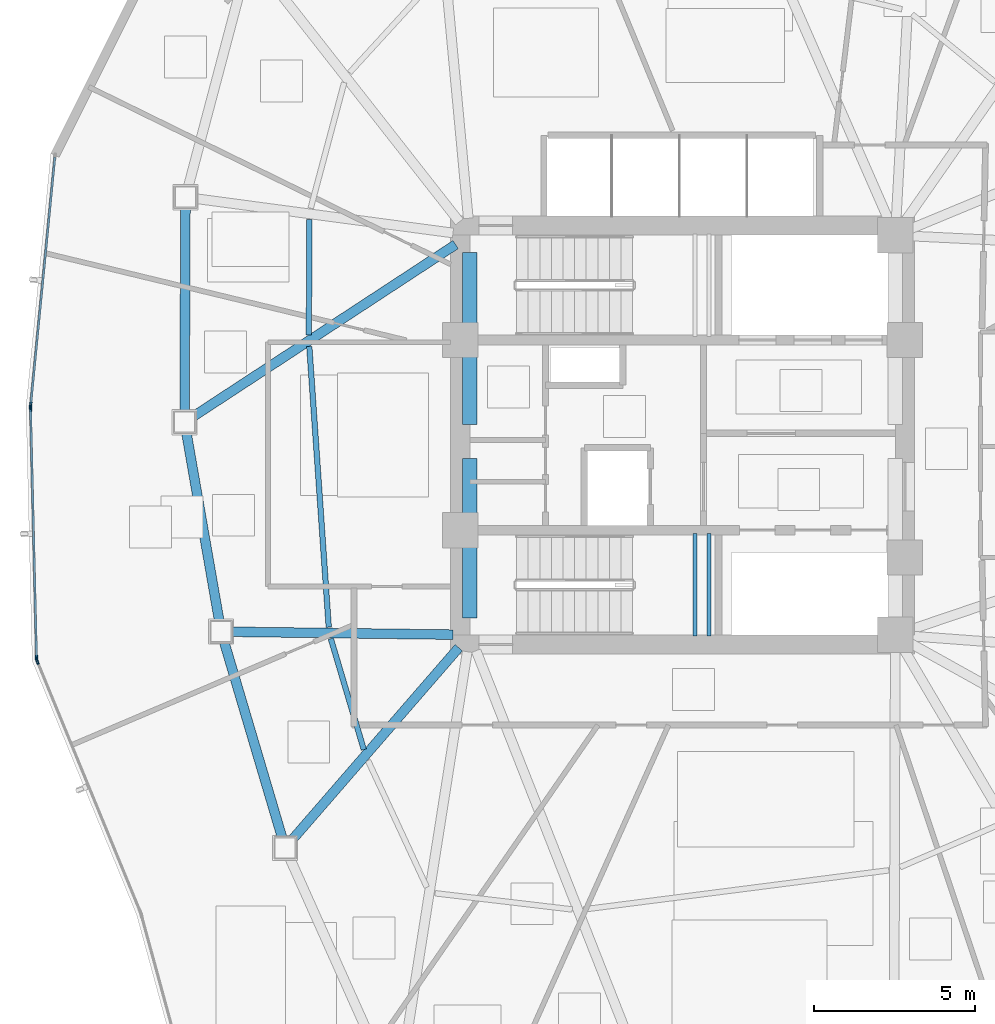
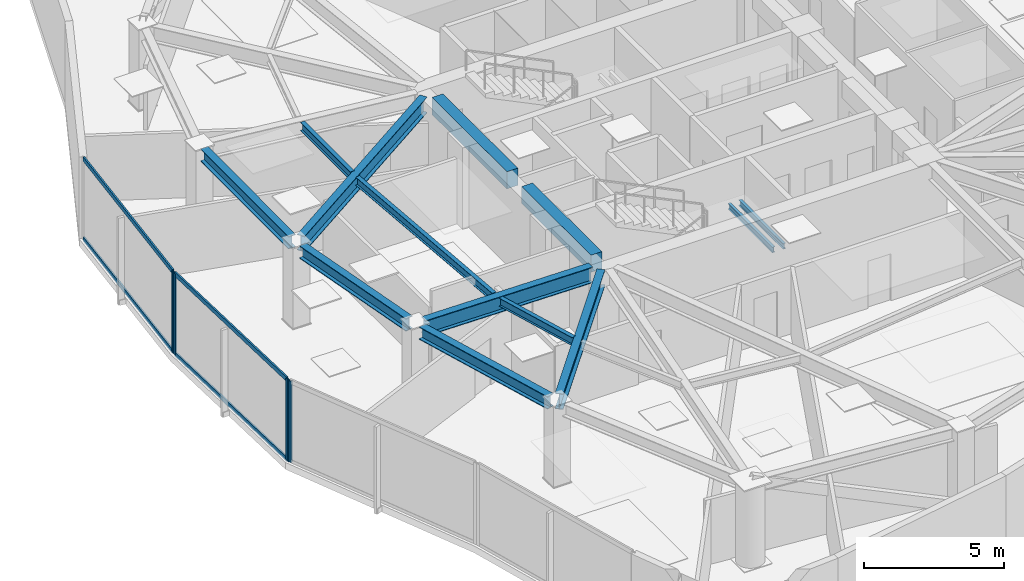
# One storey, part 4 of 17: 13 beams, 8 members, 3 elements without a shape of their own.
"""IFC4 building model written with IfcOpenShell, lengths in metres."""

from ifc_helpers import new_model, si_unit, direction, frame, origin, origin_2d, place, context, subcontext, project, spatial, rectangle, hollow_rectangle, i_section, extrude, source, transform, mapped, material, layer, layer_set, material_profile, profile_set, type_object, type_shapes, element, aggregate, save


model = new_model("IFC4")

# Units and contexts
model_context = context("Model", 3, precision=1e-05, world=origin(), true_north=direction((0.0, 1.0)))
body_context = subcontext(model_context, "Body", "Model", "MODEL_VIEW")
ifc_project = project(units=[si_unit("LENGTHUNIT", "METRE"), si_unit("AREAUNIT", "SQUARE_METRE"), si_unit("VOLUMEUNIT", "CUBIC_METRE"), si_unit("PLANEANGLEUNIT", "RADIAN"), si_unit("MASSUNIT", "GRAM", prefix="KILO")], contexts=[model_context])

# Site, building, storey
site_placement = place(None, origin())
site = spatial("IfcSite", under=ifc_project, at=site_placement, CompositionType="ELEMENT")
building_placement = place(site_placement, origin())
building = spatial("IfcBuilding", under=site, at=building_placement, Name="Tavelor Broadcast Tower", CompositionType="ELEMENT")
storey_placement = place(building_placement, frame((0.0, 0.0, 150.25)))
storey = spatial("IfcBuildingStorey", under=building, at=storey_placement, Name="L35", CompositionType="ELEMENT", Elevation=150.25)

# Beams
ifc_material_1 = material(Name="Concrete C40/50", Category="concrete")
ifc_material_profile_1 = material_profile(ifc_material_1, rectangle(XDim=0.449951171875, YDim=0.75, at=origin_2d()), Name="RC 450x750")
ifc_profile_set_1 = profile_set([ifc_material_profile_1], Name="Concrete C40/50")
beam_type_1 = type_object("IfcBeamType", Name="Basement Core Trim Beam 450x750", PredefinedType="BEAM", material=ifc_profile_set_1)
beam_1_placement = place(storey_placement, frame((43.39990234375, 45.327880859375, 3.175048828125), z_axis=(0.0, 1.0, 0.0), x_axis=(-1.0, 0.0, 0.0)))
element("IfcBeam", 1, at=beam_1_placement, inside=storey, type_object=beam_type_1, Name="L35 Core West-N Tie Girder", PredefinedType="BEAM", context=body_context, shape_type="SweptSolid", body=[
    extrude(rectangle(XDim=0.449951171875, YDim=0.75, at=origin_2d()), origin(), (0.0, 0.0, 1.0), 5.34423828125),
])
beam_2_placement = place(storey_placement, frame((43.39990234375, 39.327880859375, 3.175048828125), z_axis=(0.0, 1.0, 0.0), x_axis=(-1.0, 0.0, 0.0)))
element("IfcBeam", 2, at=beam_2_placement, inside=storey, type_object=beam_type_1, Name="L35 Core West-S Tie Girder", PredefinedType="BEAM", context=body_context, shape_type="SweptSolid", body=[
    extrude(rectangle(XDim=0.449951171875, YDim=0.75, at=origin_2d()), origin(), (0.0, 0.0, 1.0), 4.944091796875),
])
ifc_material_2 = material(Name="Steel S355", Category="steel")
ifc_material_profile_2 = material_profile(ifc_material_2, i_section(OverallWidth=0.169921875, OverallDepth=0.360107421875, WebThickness=0.008056640625, FlangeThickness=0.0126953125, at=origin_2d()), Name="IPE 360")
ifc_profile_set_2 = profile_set([ifc_material_profile_2], Name="Steel S355")
beam_type_2 = type_object("IfcBeamType", Name="Composite Floor Joist T3 IPE 360", PredefinedType="JOIST", material=ifc_profile_set_2)
beam_3_placement = place(storey_placement, frame((38.413818359375, 51.685302734375, 3.3701171875), z_axis=(-0.002320654457, -0.999997307278, 0.0), x_axis=(0.999997307278, -0.002320654457, 0.0)))
element("IfcBeam", 3, at=beam_3_placement, inside=storey, type_object=beam_type_2, Name="L35 Secondary Composite Floor Joist 03", PredefinedType="JOIST", context=body_context, shape_type="SweptSolid", body=[
    extrude(i_section(OverallWidth=0.169921875, OverallDepth=0.360107421875, WebThickness=0.008056640625, FlangeThickness=0.0126953125, at=origin_2d()), origin(), (0.0, 0.0, 1.0), 3.576904296875),
])
beam_4_placement = place(storey_placement, frame((38.41748046875, 47.74658203125, 3.3701171875), z_axis=(0.069100565304, -0.997609699168, 0.0), x_axis=(0.997609699168, 0.069100565304, 0.0)))
element("IfcBeam", 4, at=beam_4_placement, inside=storey, type_object=beam_type_2, Name="L35 Secondary Composite Floor Joist 04", PredefinedType="JOIST", context=body_context, shape_type="SweptSolid", body=[
    extrude(i_section(OverallWidth=0.169921875, OverallDepth=0.360107421875, WebThickness=0.008056640625, FlangeThickness=0.0126953125, at=origin_2d()), origin(), (0.0, 0.0, 1.0), 8.730224609375),
])
beam_5_placement = place(storey_placement, frame((39.084716796875, 38.68310546875, 3.3701171875), z_axis=(0.285203072184, -0.958467113477, 0.0), x_axis=(0.958467113477, 0.285203072184, 0.0)))
element("IfcBeam", 5, at=beam_5_placement, inside=storey, type_object=beam_type_2, Name="L35 Secondary Composite Floor Joist 05", PredefinedType="JOIST", context=body_context, shape_type="SweptSolid", body=[
    extrude(i_section(OverallWidth=0.169921875, OverallDepth=0.360107421875, WebThickness=0.008056640625, FlangeThickness=0.0126953125, at=origin_2d()), origin(), (0.0, 0.0, 1.0), 3.593505859375),
])
ifc_material_profile_3 = material_profile(ifc_material_2, i_section(OverallWidth=0.300048828125, OverallDepth=0.550048828125, WebThickness=0.014892578125, FlangeThickness=0.029052734375, at=origin_2d()), Name="HEB 550")
ifc_profile_set_3 = profile_set([ifc_material_profile_3], Name="Steel S355")
beam_type_3 = type_object("IfcBeamType", Name="Perimeter Spandrel Beam T3 HEB 550", PredefinedType="SPANDREL", material=ifc_profile_set_3)
beam_6_placement = place(storey_placement, frame((34.57373046875, 52.043212890625, 3.27490234375), z_axis=(-0.00410245019, -0.999991584916, 0.0), x_axis=(0.999991584916, -0.00410245019, 0.0)))
element("IfcBeam", 6, at=beam_6_placement, inside=storey, type_object=beam_type_3, Name="L35 Framed-Tube Ring Spandrel 03", PredefinedType="SPANDREL", context=body_context, shape_type="SweptSolid", body=[
    extrude(i_section(OverallWidth=0.300048828125, OverallDepth=0.550048828125, WebThickness=0.014892578125, FlangeThickness=0.029052734375, at=origin_2d()), origin(), (0.0, 0.0, 1.0), 6.30810546875),
])
beam_7_placement = place(storey_placement, frame((34.604248046875, 45.068115234375, 3.27490234375), z_axis=(0.17197754126, -0.985100870623, 0.0), x_axis=(0.985100870623, 0.17197754126, 0.0)))
element("IfcBeam", 7, at=beam_7_placement, inside=storey, type_object=beam_type_3, Name="L35 Framed-Tube Ring Spandrel 04", PredefinedType="SPANDREL", context=body_context, shape_type="SweptSolid", body=[
    extrude(i_section(OverallWidth=0.300048828125, OverallDepth=0.550048828125, WebThickness=0.014892578125, FlangeThickness=0.029052734375, at=origin_2d()), origin(), (0.0, 0.0, 1.0), 5.925537109375),
])
beam_8_placement = place(storey_placement, frame((35.7763671875, 38.57763671875, 3.27490234375), z_axis=(0.283996338182, -0.958825364652, 0.0), x_axis=(0.958825364652, 0.283996338182, 0.0)))
element("IfcBeam", 8, at=beam_8_placement, inside=storey, type_object=beam_type_3, Name="L35 Framed-Tube Ring Spandrel 05", PredefinedType="SPANDREL", context=body_context, shape_type="SweptSolid", body=[
    extrude(i_section(OverallWidth=0.300048828125, OverallDepth=0.550048828125, WebThickness=0.014892578125, FlangeThickness=0.029052734375, at=origin_2d()), origin(), (0.0, 0.0, 1.0), 6.325439453125),
])
ifc_material_profile_4 = material_profile(ifc_material_2, i_section(OverallWidth=0.300048828125, OverallDepth=0.68994140625, WebThickness=0.014404296875, FlangeThickness=0.027099609375, at=origin_2d()), Name="HEA 700")
ifc_profile_set_4 = profile_set([ifc_material_profile_4], Name="Steel S355")
beam_type_4 = type_object("IfcBeamType", Name="Radial Floor Girder T3 HEA 700", PredefinedType="BEAM", material=ifc_profile_set_4)
beam_9_placement = place(storey_placement, frame((42.95849609375, 50.91064453125, 3.205078125), z_axis=(-0.836455571638, -0.548034740391, 0.0), x_axis=(0.548034740391, -0.836455571638, 0.0)))
element("IfcBeam", 9, at=beam_9_placement, inside=storey, type_object=beam_type_4, Name="L35 Radial Primary Floor Girder 04", PredefinedType="BEAM", context=body_context, shape_type="SweptSolid", body=[
    extrude(i_section(OverallWidth=0.300048828125, OverallDepth=0.68994140625, WebThickness=0.014404296875, FlangeThickness=0.027099609375, at=origin_2d()), origin(), (0.0, 0.0, 1.0), 9.720947265625),
])
beam_10_placement = place(storey_placement, frame((42.8720703125, 38.806884765625, 3.205078125), z_axis=(-0.999916440376, 0.012927190963, 0.0), x_axis=(-0.012927190963, -0.999916440376, 0.0)))
element("IfcBeam", 10, at=beam_10_placement, inside=storey, type_object=beam_type_4, Name="L35 Radial Primary Floor Girder 05", PredefinedType="BEAM", context=body_context, shape_type="SweptSolid", body=[
    extrude(i_section(OverallWidth=0.300048828125, OverallDepth=0.68994140625, WebThickness=0.014404296875, FlangeThickness=0.027099609375, at=origin_2d()), origin(), (0.0, 0.0, 1.0), 6.85546875),
])
beam_11_placement = place(storey_placement, frame((43.05419921875, 38.401123046875, 3.205078125), z_axis=(-0.655166261537, -0.755484725024, 0.0), x_axis=(0.755484725024, -0.655166261537, 0.0)))
element("IfcBeam", 11, at=beam_11_placement, inside=storey, type_object=beam_type_4, Name="L35 Radial Primary Floor Girder 06", PredefinedType="BEAM", context=body_context, shape_type="SweptSolid", body=[
    extrude(i_section(OverallWidth=0.300048828125, OverallDepth=0.68994140625, WebThickness=0.014404296875, FlangeThickness=0.027099609375, at=origin_2d()), origin(), (0.0, 0.0, 1.0), 7.885009765625),
])
ifc_material_profile_5 = material_profile(ifc_material_2, i_section(OverallWidth=0.1201171875, OverallDepth=0.239990234375, WebThickness=0.006103515625, FlangeThickness=0.009765625, at=origin_2d()), Name="IPE 240")
ifc_profile_set_5 = profile_set([ifc_material_profile_5], Name="Steel S355")
beam_type_5 = type_object("IfcBeamType", Name="Stairwell Landing Support Trimmer Beam IPE240", PredefinedType="BEAM", material=ifc_profile_set_5)
for number, where, z_axis, x_axis, name in (
    (12, (50.385009765625, 38.760009765625, 1.610107421875), (0.0, 1.0, 0.0), (-1.0, 0.0, 0.0), "L35 Stair Landing Support Beam 317"),
    (13, (50.824951171875, 38.760009765625, 1.610107421875), (0.0, 1.0, 0.0), (-1.0, 0.0, 0.0), "L35 Stair Landing Support Beam 318"),
):
    element("IfcBeam", number, at=place(storey_placement, frame(where, z_axis=z_axis, x_axis=x_axis)), inside=storey, type_object=beam_type_5, Name=name, PredefinedType="BEAM", context=body_context, shape_type="SweptSolid", body=[
        extrude(i_section(OverallWidth=0.1201171875, OverallDepth=0.239990234375, WebThickness=0.006103515625, FlangeThickness=0.009765625, at=origin_2d()), origin(), (0.0, 0.0, 1.0), 3.179931640625),
    ])

# Curtain wall, member
ifc_material_3 = material(Name="Architectural Anodized Aluminium", Category="aluminium")
ifc_layer = layer(ifc_material_3, 0.18994140625)
ifc_layer_set = layer_set([ifc_layer], Name="Architectural Anodized Aluminium")
curtain_wall_type = type_object("IfcCurtainWallType", Name="Tower Mid-Zone Acoustic Curtain Wall CW03", PredefinedType="NOTDEFINED", material=ifc_layer_set)
curtain_wall_1_placement = place(storey_placement, origin())
curtain_wall_1 = element("IfcCurtainWall", 14, at=curtain_wall_1_placement, inside=storey, type_object=curtain_wall_type, Name="L35 Curtain Wall CW03 Run 361", PredefinedType="NOTDEFINED")
ifc_material_profile_6 = material_profile(ifc_material_3, hollow_rectangle(XDim=0.068115234375, YDim=0.18994140625, WallThickness=0.02197265625, at=origin_2d()), Name="RHS 68x190x22")
ifc_profile_set_6 = profile_set([ifc_material_profile_6], Name="Architectural Anodized Aluminium")
member_type_1 = type_object("IfcMemberType", Name="CW03 Extruded Aluminium Mullion 68x190", PredefinedType="MULLION", material=ifc_profile_set_6)
shared_shape_1 = source(origin(), body_context, "Body", "SweptSolid", [
    extrude(hollow_rectangle(XDim=0.068115234375, YDim=0.18994140625, WallThickness=0.02197265625, at=origin_2d()), origin(), (0.0, 0.0, 1.0), 3.550048828125),
])
type_shapes(member_type_1, [shared_shape_1])
member_1_placement = place(storey_placement, frame((29.771728515625, 45.9228515625, 0.0), z_axis=(0.0, 0.0, 1.0), x_axis=(0.995269187717, -0.097155771729, 0.0)))
member_1 = element("IfcMember", 15, at=member_1_placement, type_object=member_type_1, Name="CW03 mullion 2", PredefinedType="MULLION", context=body_context, shape_type="MappedRepresentation", body=[
    mapped(shared_shape_1, transform((0.0, 0.0, 0.0), scale=1.0)),
])

# Curtain wall, members
curtain_wall_2_placement = place(storey_placement, origin())
curtain_wall_2 = element("IfcCurtainWall", 16, at=curtain_wall_2_placement, inside=storey, type_object=curtain_wall_type, Name="L35 Curtain Wall CW03 Run 362", PredefinedType="NOTDEFINED")
member_2_placement = place(storey_placement, frame((29.768310546875, 45.824951171875, 0.0), z_axis=(0.0, 0.0, 1.0), x_axis=(0.999711974673, 0.023999326968, 0.0)))
member_2 = element("IfcMember", 17, at=member_2_placement, type_object=member_type_1, Name="CW03 mullion 1", PredefinedType="MULLION", context=body_context, shape_type="MappedRepresentation", body=[
    mapped(shared_shape_1, transform((0.0, 0.0, 0.0), scale=1.0)),
])
member_3_placement = place(storey_placement, frame((29.954345703125, 38.07421875, 0.0), z_axis=(0.0, 0.0, 1.0), x_axis=(0.999711974673, 0.023999326968, 0.0)))
member_3 = element("IfcMember", 18, at=member_3_placement, type_object=member_type_1, Name="CW03 mullion 2", PredefinedType="MULLION", context=body_context, shape_type="MappedRepresentation", body=[
    mapped(shared_shape_1, transform((0.0, 0.0, 0.0), scale=1.0)),
])

# Curtain wall, member
curtain_wall_3_placement = place(storey_placement, origin())
curtain_wall_3 = element("IfcCurtainWall", 19, at=curtain_wall_3_placement, inside=storey, type_object=curtain_wall_type, Name="L35 Curtain Wall CW03 Run 363", PredefinedType="NOTDEFINED")
member_4_placement = place(storey_placement, frame((29.97412109375, 37.979736328125, 0.0), z_axis=(0.0, 0.0, 1.0), x_axis=(0.924839349075, 0.380357960877, 0.0)))
member_4 = element("IfcMember", 20, at=member_4_placement, type_object=member_type_1, Name="CW03 mullion 1", PredefinedType="MULLION", context=body_context, shape_type="MappedRepresentation", body=[
    mapped(shared_shape_1, transform((0.0, 0.0, 0.0), scale=1.0)),
])
aggregate(curtain_wall_3, [member_4])

# Member
ifc_material_profile_7 = material_profile(ifc_material_3, hollow_rectangle(XDim=0.068115234375, YDim=0.18994140625, WallThickness=0.02197265625, at=origin_2d()), Name="RHS 68x190x22")
ifc_profile_set_7 = profile_set([ifc_material_profile_7], Name="Architectural Anodized Aluminium")
member_type_2 = type_object("IfcMemberType", Name="CW03 Extruded Aluminium Transom 68x190", PredefinedType="USERDEFINED", material=ifc_profile_set_7)
shared_shape_2 = source(origin(), body_context, "Body", "SweptSolid", [
    extrude(hollow_rectangle(XDim=0.068115234375, YDim=0.18994140625, WallThickness=0.02197265625, at=origin_2d()), origin(), (0.0, 0.0, 1.0), 7.699951171875),
])
member_5_placement = place(storey_placement, frame((30.523193359375, 53.6201171875, 0.033935546875), z_axis=(-0.097148990739, -0.995269849638, 0.0), x_axis=(0.995269849638, -0.097148990739, 0.0)))
member_5 = element("IfcMember", 21, at=member_5_placement, type_object=member_type_2, Name="CW03 transom 1.1", ObjectType="TRANSOM", PredefinedType="USERDEFINED", context=body_context, shape_type="MappedRepresentation", body=[
    mapped(shared_shape_2, transform((0.0, 0.0, 0.0), scale=1.0)),
])

member_6_placement = place(storey_placement, frame((30.523193359375, 53.6201171875, 3.51611328125), z_axis=(-0.097148990739, -0.995269849638, 0.0), x_axis=(0.995269849638, -0.097148990739, 0.0)))
member_6 = element("IfcMember", 22, at=member_6_placement, type_object=member_type_2, Name="CW03 transom 1.2", ObjectType="TRANSOM", PredefinedType="USERDEFINED", context=body_context, shape_type="MappedRepresentation", body=[
    mapped(shared_shape_2, transform((0.0, 0.0, 0.0), scale=1.0)),
])

aggregate(curtain_wall_1, [member_1, member_5, member_6])

shared_shape_3 = source(origin(), body_context, "Body", "SweptSolid", [
    extrude(hollow_rectangle(XDim=0.068115234375, YDim=0.18994140625, WallThickness=0.02197265625, at=origin_2d()), origin(), (0.0, 0.0, 1.0), 7.68505859375),
])
type_shapes(member_type_2, [shared_shape_2, shared_shape_3])
member_7_placement = place(storey_placement, frame((29.76904296875, 45.791015625, 0.033935546875), z_axis=(0.023984963016, -0.999712319395, 0.0), x_axis=(0.999712319395, 0.023984963016, 0.0)))
member_7 = element("IfcMember", 23, at=member_7_placement, type_object=member_type_2, Name="CW03 transom 1.1", ObjectType="TRANSOM", PredefinedType="USERDEFINED", context=body_context, shape_type="MappedRepresentation", body=[
    mapped(shared_shape_3, transform((0.0, 0.0, 0.0), scale=1.0)),
])

member_8_placement = place(storey_placement, frame((29.76904296875, 45.791015625, 3.51611328125), z_axis=(0.023984963016, -0.999712319395, 0.0), x_axis=(0.999712319395, 0.023984963016, 0.0)))
member_8 = element("IfcMember", 24, at=member_8_placement, type_object=member_type_2, Name="CW03 transom 1.2", ObjectType="TRANSOM", PredefinedType="USERDEFINED", context=body_context, shape_type="MappedRepresentation", body=[
    mapped(shared_shape_3, transform((0.0, 0.0, 0.0), scale=1.0)),
])

aggregate(curtain_wall_2, [member_2, member_3, member_7, member_8])

save(model, "model.ifc")
